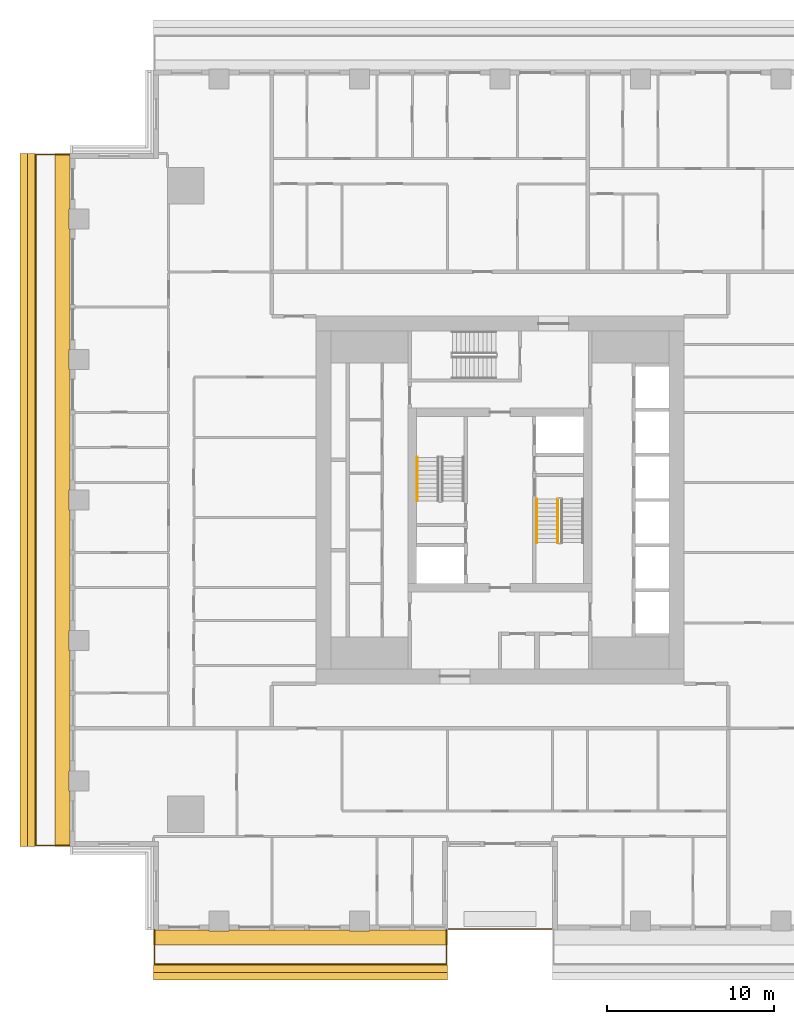
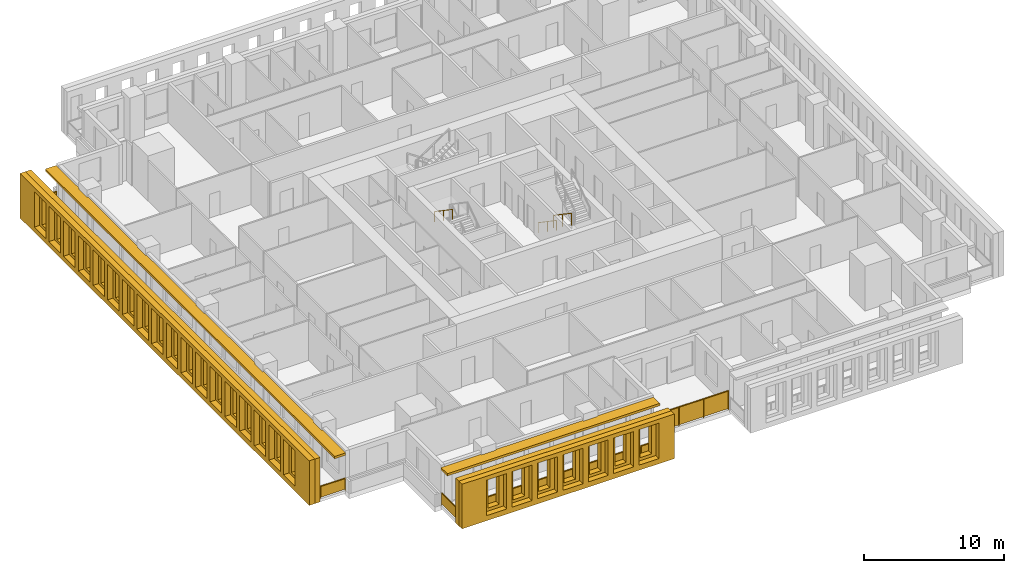
# One storey, part 12 of 16: 6 railings, 6 shading devices.
"""IFC4 building model written with IfcOpenShell, lengths in metres."""

from ifc_helpers import new_model, si_unit, direction, frame, origin, origin_2d, place, context, subcontext, project, spatial, polyline, rectangle, outline, extrude, material, layer, layer_set, type_object, element, save


model = new_model("IFC4")

# Units and contexts
model_context = context("Model", 3, precision=1e-05, world=origin(), true_north=direction((0.0, 1.0)))
body_context = subcontext(model_context, "Body", "Model", "MODEL_VIEW")
ifc_project = project(units=[si_unit("LENGTHUNIT", "METRE"), si_unit("AREAUNIT", "SQUARE_METRE"), si_unit("VOLUMEUNIT", "CUBIC_METRE"), si_unit("PLANEANGLEUNIT", "RADIAN"), si_unit("MASSUNIT", "GRAM", prefix="KILO")], contexts=[model_context])

# Site, building, storey
site_placement = place(None, origin())
site = spatial("IfcSite", under=ifc_project, at=site_placement, CompositionType="ELEMENT")
building_placement = place(site_placement, origin())
building = spatial("IfcBuilding", under=site, at=building_placement, Name="Khepri Terraces", CompositionType="ELEMENT")
storey_placement = place(building_placement, frame((0.0, 0.0, 240.60009765625)))
storey = spatial("IfcBuildingStorey", under=building, at=storey_placement, Name="L57", CompositionType="ELEMENT", Elevation=240.60009765625)

# Railings
ifc_material_1 = material(Name="Stainless steel grade 316", Category="steel")
railing_type_1 = type_object("IfcRailingType", Name="GRD-BAL-1100", PredefinedType="GUARDRAIL", material=ifc_material_1)
railing_1_placement = place(storey_placement, frame((-20.669921875, -25.719970703125, 0.0)))
element("IfcRailing", 1, at=railing_1_placement, inside=storey, type_object=railing_type_1, Name="Balcony guard L57 S", PredefinedType="GUARDRAIL", context=body_context, shape_type="SweptSolid", body=[
    extrude(rectangle(XDim=0.050048828125, YDim=0.06005859375, at=origin_2d()), frame((0.0, 0.0, 1.070068359375), z_axis=(0.0, -1.0, 0.0), x_axis=(1.0, 0.0, 0.0)), (0.0, 0.0, 1.0), 2.050048828125),
    extrude(rectangle(XDim=2.0, YDim=0.011962890625, at=origin_2d()), frame((0.0, -1.02490234375, 0.10009765625), z_axis=(0.0, 0.0, 1.0), x_axis=(0.0, -1.0, 0.0)), (0.0, 0.0, 1.0), 0.93994140625),
    extrude(rectangle(XDim=0.050048828125, YDim=0.06005859375, at=origin_2d()), frame((0.0, -2.050048828125, 1.070068359375), z_axis=(1.0, 0.0, 0.0), x_axis=(0.0, 1.0, 0.0)), (0.0, 0.0, 1.0), 17.469970703125),
    extrude(rectangle(XDim=2.1337890625, YDim=0.011962890625, at=origin_2d()), frame((1.091796875, -2.050048828125, 0.10009765625), z_axis=(0.0, 0.0, 1.0), x_axis=(1.0, 0.0, 0.0)), (0.0, 0.0, 1.0), 0.93994140625),
    extrude(rectangle(XDim=2.1337890625, YDim=0.011962890625, at=origin_2d()), frame((3.275634765625, -2.050048828125, 0.10009765625), z_axis=(0.0, 0.0, 1.0), x_axis=(1.0, 0.0, 0.0)), (0.0, 0.0, 1.0), 0.93994140625),
    extrude(rectangle(XDim=2.1337890625, YDim=0.011962890625, at=origin_2d()), frame((5.45947265625, -2.050048828125, 0.10009765625), z_axis=(0.0, 0.0, 1.0), x_axis=(1.0, 0.0, 0.0)), (0.0, 0.0, 1.0), 0.93994140625),
    extrude(rectangle(XDim=2.1337890625, YDim=0.011962890625, at=origin_2d()), frame((7.64306640625, -2.050048828125, 0.10009765625), z_axis=(0.0, 0.0, 1.0), x_axis=(1.0, 0.0, 0.0)), (0.0, 0.0, 1.0), 0.93994140625),
    extrude(rectangle(XDim=2.1337890625, YDim=0.011962890625, at=origin_2d()), frame((9.826904296875, -2.050048828125, 0.10009765625), z_axis=(0.0, 0.0, 1.0), x_axis=(1.0, 0.0, 0.0)), (0.0, 0.0, 1.0), 0.93994140625),
    extrude(rectangle(XDim=2.1337890625, YDim=0.011962890625, at=origin_2d()), frame((12.010498046875, -2.050048828125, 0.10009765625), z_axis=(0.0, 0.0, 1.0), x_axis=(1.0, 0.0, 0.0)), (0.0, 0.0, 1.0), 0.93994140625),
    extrude(rectangle(XDim=2.1337890625, YDim=0.011962890625, at=origin_2d()), frame((14.1943359375, -2.050048828125, 0.10009765625), z_axis=(0.0, 0.0, 1.0), x_axis=(1.0, 0.0, 0.0)), (0.0, 0.0, 1.0), 0.93994140625),
    extrude(rectangle(XDim=2.1337890625, YDim=0.011962890625, at=origin_2d()), frame((16.378173828125, -2.050048828125, 0.10009765625), z_axis=(0.0, 0.0, 1.0), x_axis=(1.0, 0.0, 0.0)), (0.0, 0.0, 1.0), 0.93994140625),
    extrude(rectangle(XDim=0.050048828125, YDim=0.06005859375, at=origin_2d()), frame((17.469970703125, -2.050048828125, 1.070068359375), z_axis=(0.0, 1.0, 0.0), x_axis=(-1.0, 0.0, 0.0)), (0.0, 0.0, 1.0), 2.050048828125),
    extrude(rectangle(XDim=2.0, YDim=0.011962890625, at=origin_2d()), frame((17.469970703125, -1.02490234375, 0.10009765625), z_axis=(0.0, 0.0, 1.0), x_axis=(0.0, 1.0, 0.0)), (0.0, 0.0, 1.0), 0.93994140625),
    extrude(rectangle(XDim=0.050048828125, YDim=0.050048828125, at=origin_2d()), origin(), (0.0, 0.0, 1.0), 1.0400390625),
    extrude(rectangle(XDim=0.050048828125, YDim=0.050048828125, at=origin_2d()), frame((0.0, -2.050048828125, 0.0)), (0.0, 0.0, 1.0), 1.0400390625),
    extrude(rectangle(XDim=0.050048828125, YDim=0.050048828125, at=origin_2d()), frame((2.183837890625, -2.050048828125, 0.0)), (0.0, 0.0, 1.0), 1.0400390625),
    extrude(rectangle(XDim=0.050048828125, YDim=0.050048828125, at=origin_2d()), frame((4.367431640625, -2.050048828125, 0.0)), (0.0, 0.0, 1.0), 1.0400390625),
    extrude(rectangle(XDim=0.050048828125, YDim=0.050048828125, at=origin_2d()), frame((6.55126953125, -2.050048828125, 0.0)), (0.0, 0.0, 1.0), 1.0400390625),
    extrude(rectangle(XDim=0.050048828125, YDim=0.050048828125, at=origin_2d()), frame((8.73486328125, -2.050048828125, 0.0)), (0.0, 0.0, 1.0), 1.0400390625),
    extrude(rectangle(XDim=0.050048828125, YDim=0.050048828125, at=origin_2d()), frame((10.918701171875, -2.050048828125, 0.0)), (0.0, 0.0, 1.0), 1.0400390625),
    extrude(rectangle(XDim=0.050048828125, YDim=0.050048828125, at=origin_2d()), frame((13.1025390625, -2.050048828125, 0.0)), (0.0, 0.0, 1.0), 1.0400390625),
    extrude(rectangle(XDim=0.050048828125, YDim=0.050048828125, at=origin_2d()), frame((15.2861328125, -2.050048828125, 0.0)), (0.0, 0.0, 1.0), 1.0400390625),
    extrude(rectangle(XDim=0.050048828125, YDim=0.050048828125, at=origin_2d()), frame((17.469970703125, -2.050048828125, 0.0)), (0.0, 0.0, 1.0), 1.0400390625),
    extrude(rectangle(XDim=0.050048828125, YDim=0.050048828125, at=origin_2d()), frame((17.469970703125, 0.0, 0.0)), (0.0, 0.0, 1.0), 1.0400390625),
])
railing_2_placement = place(storey_placement, frame((-25.719970703125, 20.669921875, 0.0)))
element("IfcRailing", 2, at=railing_2_placement, inside=storey, type_object=railing_type_1, Name="Balcony guard L57 W", PredefinedType="GUARDRAIL", context=body_context, shape_type="SweptSolid", body=[
    extrude(rectangle(XDim=0.050048828125, YDim=0.06005859375, at=origin_2d()), frame((0.0, 0.0, 1.070068359375), z_axis=(-1.0, 0.0, 0.0), x_axis=(0.0, -1.0, 0.0)), (0.0, 0.0, 1.0), 2.050048828125),
    extrude(rectangle(XDim=2.0, YDim=0.011962890625, at=origin_2d()), frame((-1.02490234375, 0.0, 0.10009765625), z_axis=(0.0, 0.0, 1.0), x_axis=(-1.0, 0.0, 0.0)), (0.0, 0.0, 1.0), 0.93994140625),
    extrude(rectangle(XDim=0.050048828125, YDim=0.06005859375, at=origin_2d()), frame((-2.050048828125, 0.0, 1.070068359375), z_axis=(0.0, -1.0, 0.0), x_axis=(1.0, 0.0, 0.0)), (0.0, 0.0, 1.0), 41.33984375),
    extrude(rectangle(XDim=2.24658203125, YDim=0.011962890625, at=origin_2d()), frame((-2.050048828125, -1.1484375, 0.10009765625), z_axis=(0.0, 0.0, 1.0), x_axis=(0.0, -1.0, 0.0)), (0.0, 0.0, 1.0), 0.93994140625),
    extrude(rectangle(XDim=2.24658203125, YDim=0.011962890625, at=origin_2d()), frame((-2.050048828125, -3.445068359375, 0.10009765625), z_axis=(0.0, 0.0, 1.0), x_axis=(0.0, -1.0, 0.0)), (0.0, 0.0, 1.0), 0.93994140625),
    extrude(rectangle(XDim=2.24658203125, YDim=0.011962890625, at=origin_2d()), frame((-2.050048828125, -5.74169921875, 0.10009765625), z_axis=(0.0, 0.0, 1.0), x_axis=(0.0, -1.0, 0.0)), (0.0, 0.0, 1.0), 0.93994140625),
    extrude(rectangle(XDim=2.24658203125, YDim=0.011962890625, at=origin_2d()), frame((-2.050048828125, -8.038330078125, 0.10009765625), z_axis=(0.0, 0.0, 1.0), x_axis=(0.0, -1.0, 0.0)), (0.0, 0.0, 1.0), 0.93994140625),
    extrude(rectangle(XDim=2.24658203125, YDim=0.011962890625, at=origin_2d()), frame((-2.050048828125, -10.3349609375, 0.10009765625), z_axis=(0.0, 0.0, 1.0), x_axis=(0.0, -1.0, 0.0)), (0.0, 0.0, 1.0), 0.93994140625),
    extrude(rectangle(XDim=2.24658203125, YDim=0.011962890625, at=origin_2d()), frame((-2.050048828125, -12.631591796875, 0.10009765625), z_axis=(0.0, 0.0, 1.0), x_axis=(0.0, -1.0, 0.0)), (0.0, 0.0, 1.0), 0.93994140625),
    extrude(rectangle(XDim=2.24658203125, YDim=0.011962890625, at=origin_2d()), frame((-2.050048828125, -14.92822265625, 0.10009765625), z_axis=(0.0, 0.0, 1.0), x_axis=(0.0, -1.0, 0.0)), (0.0, 0.0, 1.0), 0.93994140625),
    extrude(rectangle(XDim=2.24658203125, YDim=0.011962890625, at=origin_2d()), frame((-2.050048828125, -17.224853515625, 0.10009765625), z_axis=(0.0, 0.0, 1.0), x_axis=(0.0, -1.0, 0.0)), (0.0, 0.0, 1.0), 0.93994140625),
    extrude(rectangle(XDim=2.24658203125, YDim=0.011962890625, at=origin_2d()), frame((-2.050048828125, -19.521484375, 0.10009765625), z_axis=(0.0, 0.0, 1.0), x_axis=(0.0, -1.0, 0.0)), (0.0, 0.0, 1.0), 0.93994140625),
    extrude(rectangle(XDim=2.24658203125, YDim=0.011962890625, at=origin_2d()), frame((-2.050048828125, -21.818359375, 0.10009765625), z_axis=(0.0, 0.0, 1.0), x_axis=(0.0, -1.0, 0.0)), (0.0, 0.0, 1.0), 0.93994140625),
    extrude(rectangle(XDim=2.24658203125, YDim=0.011962890625, at=origin_2d()), frame((-2.050048828125, -24.114990234375, 0.10009765625), z_axis=(0.0, 0.0, 1.0), x_axis=(0.0, -1.0, 0.0)), (0.0, 0.0, 1.0), 0.93994140625),
    extrude(rectangle(XDim=2.24658203125, YDim=0.011962890625, at=origin_2d()), frame((-2.050048828125, -26.41162109375, 0.10009765625), z_axis=(0.0, 0.0, 1.0), x_axis=(0.0, -1.0, 0.0)), (0.0, 0.0, 1.0), 0.93994140625),
    extrude(rectangle(XDim=2.24658203125, YDim=0.011962890625, at=origin_2d()), frame((-2.050048828125, -28.708251953125, 0.10009765625), z_axis=(0.0, 0.0, 1.0), x_axis=(0.0, -1.0, 0.0)), (0.0, 0.0, 1.0), 0.93994140625),
    extrude(rectangle(XDim=2.24658203125, YDim=0.011962890625, at=origin_2d()), frame((-2.050048828125, -31.0048828125, 0.10009765625), z_axis=(0.0, 0.0, 1.0), x_axis=(0.0, -1.0, 0.0)), (0.0, 0.0, 1.0), 0.93994140625),
    extrude(rectangle(XDim=2.24658203125, YDim=0.011962890625, at=origin_2d()), frame((-2.050048828125, -33.301513671875, 0.10009765625), z_axis=(0.0, 0.0, 1.0), x_axis=(0.0, -1.0, 0.0)), (0.0, 0.0, 1.0), 0.93994140625),
    extrude(rectangle(XDim=2.24658203125, YDim=0.011962890625, at=origin_2d()), frame((-2.050048828125, -35.59814453125, 0.10009765625), z_axis=(0.0, 0.0, 1.0), x_axis=(0.0, -1.0, 0.0)), (0.0, 0.0, 1.0), 0.93994140625),
    extrude(rectangle(XDim=2.24658203125, YDim=0.011962890625, at=origin_2d()), frame((-2.050048828125, -37.894775390625, 0.10009765625), z_axis=(0.0, 0.0, 1.0), x_axis=(0.0, -1.0, 0.0)), (0.0, 0.0, 1.0), 0.93994140625),
    extrude(rectangle(XDim=2.24658203125, YDim=0.011962890625, at=origin_2d()), frame((-2.050048828125, -40.19140625, 0.10009765625), z_axis=(0.0, 0.0, 1.0), x_axis=(0.0, -1.0, 0.0)), (0.0, 0.0, 1.0), 0.93994140625),
    extrude(rectangle(XDim=0.050048828125, YDim=0.06005859375, at=origin_2d()), frame((-2.050048828125, -41.33984375, 1.070068359375), z_axis=(1.0, 0.0, 0.0), x_axis=(0.0, 1.0, 0.0)), (0.0, 0.0, 1.0), 2.050048828125),
    extrude(rectangle(XDim=2.0, YDim=0.011962890625, at=origin_2d()), frame((-1.02490234375, -41.33984375, 0.10009765625), z_axis=(0.0, 0.0, 1.0), x_axis=(1.0, 0.0, 0.0)), (0.0, 0.0, 1.0), 0.93994140625),
    extrude(rectangle(XDim=0.050048828125, YDim=0.050048828125, at=origin_2d()), origin(), (0.0, 0.0, 1.0), 1.0400390625),
    extrude(rectangle(XDim=0.050048828125, YDim=0.050048828125, at=origin_2d()), frame((-2.050048828125, 0.0, 0.0)), (0.0, 0.0, 1.0), 1.0400390625),
    extrude(rectangle(XDim=0.050048828125, YDim=0.050048828125, at=origin_2d()), frame((-2.050048828125, -2.296630859375, 0.0)), (0.0, 0.0, 1.0), 1.0400390625),
    extrude(rectangle(XDim=0.050048828125, YDim=0.050048828125, at=origin_2d()), frame((-2.050048828125, -4.59326171875, 0.0)), (0.0, 0.0, 1.0), 1.0400390625),
    extrude(rectangle(XDim=0.050048828125, YDim=0.050048828125, at=origin_2d()), frame((-2.050048828125, -6.889892578125, 0.0)), (0.0, 0.0, 1.0), 1.0400390625),
    extrude(rectangle(XDim=0.050048828125, YDim=0.050048828125, at=origin_2d()), frame((-2.050048828125, -9.1865234375, 0.0)), (0.0, 0.0, 1.0), 1.0400390625),
    extrude(rectangle(XDim=0.050048828125, YDim=0.050048828125, at=origin_2d()), frame((-2.050048828125, -11.4833984375, 0.0)), (0.0, 0.0, 1.0), 1.0400390625),
    extrude(rectangle(XDim=0.050048828125, YDim=0.050048828125, at=origin_2d()), frame((-2.050048828125, -13.780029296875, 0.0)), (0.0, 0.0, 1.0), 1.0400390625),
    extrude(rectangle(XDim=0.050048828125, YDim=0.050048828125, at=origin_2d()), frame((-2.050048828125, -16.07666015625, 0.0)), (0.0, 0.0, 1.0), 1.0400390625),
    extrude(rectangle(XDim=0.050048828125, YDim=0.050048828125, at=origin_2d()), frame((-2.050048828125, -18.373291015625, 0.0)), (0.0, 0.0, 1.0), 1.0400390625),
    extrude(rectangle(XDim=0.050048828125, YDim=0.050048828125, at=origin_2d()), frame((-2.050048828125, -20.669921875, 0.0)), (0.0, 0.0, 1.0), 1.0400390625),
    extrude(rectangle(XDim=0.050048828125, YDim=0.050048828125, at=origin_2d()), frame((-2.050048828125, -22.966552734375, 0.0)), (0.0, 0.0, 1.0), 1.0400390625),
    extrude(rectangle(XDim=0.050048828125, YDim=0.050048828125, at=origin_2d()), frame((-2.050048828125, -25.26318359375, 0.0)), (0.0, 0.0, 1.0), 1.0400390625),
    extrude(rectangle(XDim=0.050048828125, YDim=0.050048828125, at=origin_2d()), frame((-2.050048828125, -27.559814453125, 0.0)), (0.0, 0.0, 1.0), 1.0400390625),
    extrude(rectangle(XDim=0.050048828125, YDim=0.050048828125, at=origin_2d()), frame((-2.050048828125, -29.8564453125, 0.0)), (0.0, 0.0, 1.0), 1.0400390625),
    extrude(rectangle(XDim=0.050048828125, YDim=0.050048828125, at=origin_2d()), frame((-2.050048828125, -32.1533203125, 0.0)), (0.0, 0.0, 1.0), 1.0400390625),
    extrude(rectangle(XDim=0.050048828125, YDim=0.050048828125, at=origin_2d()), frame((-2.050048828125, -34.449951171875, 0.0)), (0.0, 0.0, 1.0), 1.0400390625),
    extrude(rectangle(XDim=0.050048828125, YDim=0.050048828125, at=origin_2d()), frame((-2.050048828125, -36.74658203125, 0.0)), (0.0, 0.0, 1.0), 1.0400390625),
    extrude(rectangle(XDim=0.050048828125, YDim=0.050048828125, at=origin_2d()), frame((-2.050048828125, -39.043212890625, 0.0)), (0.0, 0.0, 1.0), 1.0400390625),
    extrude(rectangle(XDim=0.050048828125, YDim=0.050048828125, at=origin_2d()), frame((-2.050048828125, -41.33984375, 0.0)), (0.0, 0.0, 1.0), 1.0400390625),
    extrude(rectangle(XDim=0.050048828125, YDim=0.050048828125, at=origin_2d()), frame((0.0, -41.33984375, 0.0)), (0.0, 0.0, 1.0), 1.0400390625),
])
railing_type_2 = type_object("IfcRailingType", Name="GRD-TERR-1700", PredefinedType="GUARDRAIL", material=ifc_material_1)
railing_3_placement = place(storey_placement, frame((3.080078125, -25.669921875, 0.0)))
element("IfcRailing", 3, at=railing_3_placement, inside=storey, type_object=railing_type_2, Name="Terrace guard L57", PredefinedType="GUARDRAIL", context=body_context, shape_type="SweptSolid", body=[
    extrude(rectangle(XDim=0.050048828125, YDim=0.06005859375, at=origin_2d()), frame((0.0, 0.0, 1.669921875), z_axis=(-1.0, 0.0, 0.0), x_axis=(0.0, -1.0, 0.0)), (0.0, 0.0, 1.0), 6.16015625),
    extrude(rectangle(XDim=2.00341796875, YDim=0.011962890625, at=origin_2d()), frame((-1.026611328125, 0.0, 0.10009765625), z_axis=(0.0, 0.0, 1.0), x_axis=(-1.0, 0.0, 0.0)), (0.0, 0.0, 1.0), 1.539794921875),
    extrude(rectangle(XDim=2.00341796875, YDim=0.011962890625, at=origin_2d()), frame((-3.080078125, 0.0, 0.10009765625), z_axis=(0.0, 0.0, 1.0), x_axis=(-1.0, 0.0, 0.0)), (0.0, 0.0, 1.0), 1.539794921875),
    extrude(rectangle(XDim=2.00341796875, YDim=0.011962890625, at=origin_2d()), frame((-5.133544921875, 0.0, 0.10009765625), z_axis=(0.0, 0.0, 1.0), x_axis=(-1.0, 0.0, 0.0)), (0.0, 0.0, 1.0), 1.539794921875),
    extrude(rectangle(XDim=0.050048828125, YDim=0.050048828125, at=origin_2d()), origin(), (0.0, 0.0, 1.0), 1.639892578125),
    extrude(rectangle(XDim=0.050048828125, YDim=0.050048828125, at=origin_2d()), frame((-2.053466796875, 0.0, 0.0)), (0.0, 0.0, 1.0), 1.639892578125),
    extrude(rectangle(XDim=0.050048828125, YDim=0.050048828125, at=origin_2d()), frame((-4.106689453125, 0.0, 0.0)), (0.0, 0.0, 1.0), 1.639892578125),
    extrude(rectangle(XDim=0.050048828125, YDim=0.050048828125, at=origin_2d()), frame((-6.16015625, 0.0, 0.0)), (0.0, 0.0, 1.0), 1.639892578125),
])
ifc_material_2 = material(Name="Stainless steel 316", Category="steel")
railing_type_3 = type_object("IfcRailingType", Name="RL-CORE-GUARD", PredefinedType="GUARDRAIL", material=ifc_material_2)
railing_4_placement = place(storey_placement, frame((3.449951171875, 0.050048828125, 0.17724609375)))
element("IfcRailing", 4, at=railing_4_placement, inside=storey, type_object=railing_type_3, Name="L57 ST-2 stair guard 1", PredefinedType="GUARDRAIL", context=body_context, shape_type="SweptSolid", body=[
    extrude(rectangle(XDim=0.050048828125, YDim=0.06005859375, at=origin_2d()), frame((0.0, 0.0, 1.070068359375), z_axis=(0.0, -0.826240473404, 0.563317565952), x_axis=(1.0, 0.0, 0.0)), (0.0, 0.0, 1.0), 3.14697265625),
    extrude(rectangle(XDim=0.050048828125, YDim=0.050048828125, at=origin_2d()), origin(), (0.0, 0.0, 1.0), 1.0400390625),
    extrude(rectangle(XDim=0.050048828125, YDim=0.050048828125, at=origin_2d()), frame((0.0, -1.300048828125, 0.88623046875)), (0.0, 0.0, 1.0), 1.0400390625),
    extrude(rectangle(XDim=0.050048828125, YDim=0.050048828125, at=origin_2d()), frame((0.0, -2.60009765625, 1.772705078125)), (0.0, 0.0, 1.0), 1.0400390625),
])
railing_type_4 = type_object("IfcRailingType", Name="RL-CORE-HANDRAIL", PredefinedType="HANDRAIL", material=ifc_material_2)
for number, where, name in (
    (5, (-4.949951171875, 2.550048828125, 2.127197265625), "L57 ST-1 stair handrail 2"),
    (6, (2.199951171875, 0.050048828125, 0.17724609375), "L57 ST-2 stair handrail 1"),
):
    element("IfcRailing", number, at=place(storey_placement, frame(where)), inside=storey, type_object=railing_type_4, Name=name, PredefinedType="HANDRAIL", context=body_context, shape_type="SweptSolid", body=[
        extrude(rectangle(XDim=0.050048828125, YDim=0.050048828125, at=origin_2d()), frame((0.0, 0.0, 0.875), z_axis=(0.0, -0.826240473404, 0.563317565952), x_axis=(1.0, 0.0, 0.0)), (0.0, 0.0, 1.0), 3.14697265625),
        extrude(rectangle(XDim=0.050048828125, YDim=0.050048828125, at=origin_2d()), origin(), (0.0, 0.0, 1.0), 0.849853515625),
        extrude(rectangle(XDim=0.050048828125, YDim=0.050048828125, at=origin_2d()), frame((0.0, -1.300048828125, 0.88623046875)), (0.0, 0.0, 1.0), 0.849853515625),
        extrude(rectangle(XDim=0.050048828125, YDim=0.050048828125, at=origin_2d()), frame((0.0, -2.60009765625, 1.772705078125)), (0.0, 0.0, 1.0), 0.849853515625),
    ])

# Shading devices
ifc_material_3 = material(Name="Precast concrete C50/60 warm stone", Category="masonry")
shading_device_type_1 = type_object("IfcShadingDeviceType", Name="SCR-CELL-INNER-450", PredefinedType="USERDEFINED", material=ifc_material_3)
shading_device_1_placement = place(storey_placement, frame((-20.719970703125, -27.820068359375, -0.25), z_axis=(0.0, -1.0, 0.0), x_axis=(1.0, 0.0, 0.0)))
element("IfcShadingDevice", 7, at=shading_device_1_placement, inside=storey, type_object=shading_device_type_1, Name="Cell screen L57 S in", ObjectType="SCREEN", PredefinedType="USERDEFINED", context=body_context, shape_type="SweptSolid", body=[
    extrude(outline(polyline([(0.0, 0.0), (17.570068359375, 0.0), (17.570068359375, 3.89990234375), (0.0, 3.89990234375), (0.0, 0.0)]), holes=[polyline([(0.297607421875, 0.699951171875), (1.242431640625, 0.699951171875), (1.242431640625, 3.300048828125), (0.297607421875, 3.300048828125), (0.297607421875, 0.699951171875)]), polyline([(2.3974609375, 0.699951171875), (3.342529296875, 0.699951171875), (3.342529296875, 3.300048828125), (2.3974609375, 3.300048828125), (2.3974609375, 0.699951171875)]), polyline([(4.49755859375, 0.699951171875), (5.4423828125, 0.699951171875), (5.4423828125, 3.300048828125), (4.49755859375, 3.300048828125), (4.49755859375, 0.699951171875)]), polyline([(6.597412109375, 0.699951171875), (7.54248046875, 0.699951171875), (7.54248046875, 3.300048828125), (6.597412109375, 3.300048828125), (6.597412109375, 0.699951171875)]), polyline([(8.697509765625, 0.699951171875), (9.642578125, 0.699951171875), (9.642578125, 3.300048828125), (8.697509765625, 3.300048828125), (8.697509765625, 0.699951171875)]), polyline([(10.797607421875, 0.699951171875), (11.742431640625, 0.699951171875), (11.742431640625, 3.300048828125), (10.797607421875, 3.300048828125), (10.797607421875, 0.699951171875)]), polyline([(12.8974609375, 0.699951171875), (13.842529296875, 0.699951171875), (13.842529296875, 3.300048828125), (12.8974609375, 3.300048828125), (12.8974609375, 0.699951171875)]), polyline([(14.99755859375, 0.699951171875), (15.9423828125, 0.699951171875), (15.9423828125, 3.300048828125), (14.99755859375, 3.300048828125), (14.99755859375, 0.699951171875)])]), origin(), (0.0, 0.0, 1.0), 0.449951171875),
])
shading_device_2_placement = place(storey_placement, frame((-27.820068359375, 20.719970703125, -0.25), z_axis=(-1.0, 0.0, 0.0), x_axis=(0.0, -1.0, 0.0)))
element("IfcShadingDevice", 8, at=shading_device_2_placement, inside=storey, type_object=shading_device_type_1, Name="Cell screen L57 W in", ObjectType="SCREEN", PredefinedType="USERDEFINED", context=body_context, shape_type="SweptSolid", body=[
    extrude(outline(polyline([(0.0, 0.0), (41.43994140625, 0.0), (41.43994140625, 3.89990234375), (0.0, 3.89990234375), (0.0, 0.0)]), holes=[polyline([(0.297607421875, 0.699951171875), (1.242431640625, 0.699951171875), (1.242431640625, 3.300048828125), (0.297607421875, 3.300048828125), (0.297607421875, 0.699951171875)]), polyline([(2.3974609375, 0.699951171875), (3.342529296875, 0.699951171875), (3.342529296875, 3.300048828125), (2.3974609375, 3.300048828125), (2.3974609375, 0.699951171875)]), polyline([(4.49755859375, 0.699951171875), (5.4423828125, 0.699951171875), (5.4423828125, 3.300048828125), (4.49755859375, 3.300048828125), (4.49755859375, 0.699951171875)]), polyline([(6.597412109375, 0.699951171875), (7.54248046875, 0.699951171875), (7.54248046875, 3.300048828125), (6.597412109375, 3.300048828125), (6.597412109375, 0.699951171875)]), polyline([(8.697509765625, 0.699951171875), (9.642578125, 0.699951171875), (9.642578125, 3.300048828125), (8.697509765625, 3.300048828125), (8.697509765625, 0.699951171875)]), polyline([(10.797607421875, 0.699951171875), (11.742431640625, 0.699951171875), (11.742431640625, 3.300048828125), (10.797607421875, 3.300048828125), (10.797607421875, 0.699951171875)]), polyline([(12.8974609375, 0.699951171875), (13.842529296875, 0.699951171875), (13.842529296875, 3.300048828125), (12.8974609375, 3.300048828125), (12.8974609375, 0.699951171875)]), polyline([(14.99755859375, 0.699951171875), (15.9423828125, 0.699951171875), (15.9423828125, 3.300048828125), (14.99755859375, 3.300048828125), (14.99755859375, 0.699951171875)]), polyline([(17.097412109375, 0.699951171875), (18.04248046875, 0.699951171875), (18.04248046875, 3.300048828125), (17.097412109375, 3.300048828125), (17.097412109375, 0.699951171875)]), polyline([(19.197509765625, 0.699951171875), (20.142578125, 0.699951171875), (20.142578125, 3.300048828125), (19.197509765625, 3.300048828125), (19.197509765625, 0.699951171875)]), polyline([(21.297607421875, 0.699951171875), (22.242431640625, 0.699951171875), (22.242431640625, 3.300048828125), (21.297607421875, 3.300048828125), (21.297607421875, 0.699951171875)]), polyline([(23.3974609375, 0.699951171875), (24.342529296875, 0.699951171875), (24.342529296875, 3.300048828125), (23.3974609375, 3.300048828125), (23.3974609375, 0.699951171875)]), polyline([(25.49755859375, 0.699951171875), (26.4423828125, 0.699951171875), (26.4423828125, 3.300048828125), (25.49755859375, 3.300048828125), (25.49755859375, 0.699951171875)]), polyline([(27.597412109375, 0.699951171875), (28.54248046875, 0.699951171875), (28.54248046875, 3.300048828125), (27.597412109375, 3.300048828125), (27.597412109375, 0.699951171875)]), polyline([(29.697509765625, 0.699951171875), (30.642578125, 0.699951171875), (30.642578125, 3.300048828125), (29.697509765625, 3.300048828125), (29.697509765625, 0.699951171875)]), polyline([(31.797607421875, 0.699951171875), (32.742431640625, 0.699951171875), (32.742431640625, 3.300048828125), (31.797607421875, 3.300048828125), (31.797607421875, 0.699951171875)]), polyline([(33.8974609375, 0.699951171875), (34.842529296875, 0.699951171875), (34.842529296875, 3.300048828125), (33.8974609375, 3.300048828125), (33.8974609375, 0.699951171875)]), polyline([(35.99755859375, 0.699951171875), (36.9423828125, 0.699951171875), (36.9423828125, 3.300048828125), (35.99755859375, 3.300048828125), (35.99755859375, 0.699951171875)]), polyline([(38.097412109375, 0.699951171875), (39.04248046875, 0.699951171875), (39.04248046875, 3.300048828125), (38.097412109375, 3.300048828125), (38.097412109375, 0.699951171875)]), polyline([(40.197509765625, 0.699951171875), (41.142578125, 0.699951171875), (41.142578125, 3.300048828125), (40.197509765625, 3.300048828125), (40.197509765625, 0.699951171875)])]), origin(), (0.0, 0.0, 1.0), 0.449951171875),
])
shading_device_type_2 = type_object("IfcShadingDeviceType", Name="SCR-CELL-OUTER-450", PredefinedType="USERDEFINED", material=ifc_material_3)
shading_device_3_placement = place(storey_placement, frame((-20.719970703125, -28.27001953125, -0.25), z_axis=(0.0, -1.0, 0.0), x_axis=(1.0, 0.0, 0.0)))
element("IfcShadingDevice", 9, at=shading_device_3_placement, inside=storey, type_object=shading_device_type_2, Name="Cell screen L57 S out", ObjectType="SCREEN", PredefinedType="USERDEFINED", context=body_context, shape_type="SweptSolid", body=[
    extrude(outline(polyline([(0.0, 0.0), (17.570068359375, 0.0), (17.570068359375, 3.89990234375), (0.0, 3.89990234375), (0.0, 0.0)]), holes=[polyline([(2.047607421875, 0.449951171875), (3.6923828125, 0.449951171875), (3.6923828125, 3.550048828125), (2.047607421875, 3.550048828125), (2.047607421875, 0.449951171875)]), polyline([(4.1474609375, 0.449951171875), (5.79248046875, 0.449951171875), (5.79248046875, 3.550048828125), (4.1474609375, 3.550048828125), (4.1474609375, 0.449951171875)]), polyline([(6.24755859375, 0.449951171875), (7.892578125, 0.449951171875), (7.892578125, 3.550048828125), (6.24755859375, 3.550048828125), (6.24755859375, 0.449951171875)]), polyline([(8.347412109375, 0.449951171875), (9.992431640625, 0.449951171875), (9.992431640625, 3.550048828125), (8.347412109375, 3.550048828125), (8.347412109375, 0.449951171875)]), polyline([(10.447509765625, 0.449951171875), (12.092529296875, 0.449951171875), (12.092529296875, 3.550048828125), (10.447509765625, 3.550048828125), (10.447509765625, 0.449951171875)]), polyline([(12.547607421875, 0.449951171875), (14.1923828125, 0.449951171875), (14.1923828125, 3.550048828125), (12.547607421875, 3.550048828125), (12.547607421875, 0.449951171875)]), polyline([(14.6474609375, 0.449951171875), (16.29248046875, 0.449951171875), (16.29248046875, 3.550048828125), (14.6474609375, 3.550048828125), (14.6474609375, 0.449951171875)])]), origin(), (0.0, 0.0, 1.0), 0.449951171875),
])
shading_device_4_placement = place(storey_placement, frame((-28.27001953125, 20.719970703125, -0.25), z_axis=(-1.0, 0.0, 0.0), x_axis=(0.0, -1.0, 0.0)))
element("IfcShadingDevice", 10, at=shading_device_4_placement, inside=storey, type_object=shading_device_type_2, Name="Cell screen L57 W out", ObjectType="SCREEN", PredefinedType="USERDEFINED", context=body_context, shape_type="SweptSolid", body=[
    extrude(outline(polyline([(0.0, 0.0), (41.43994140625, 0.0), (41.43994140625, 3.89990234375), (0.0, 3.89990234375), (0.0, 0.0)]), holes=[polyline([(2.047607421875, 0.449951171875), (3.6923828125, 0.449951171875), (3.6923828125, 3.550048828125), (2.047607421875, 3.550048828125), (2.047607421875, 0.449951171875)]), polyline([(4.1474609375, 0.449951171875), (5.79248046875, 0.449951171875), (5.79248046875, 3.550048828125), (4.1474609375, 3.550048828125), (4.1474609375, 0.449951171875)]), polyline([(6.24755859375, 0.449951171875), (7.892578125, 0.449951171875), (7.892578125, 3.550048828125), (6.24755859375, 3.550048828125), (6.24755859375, 0.449951171875)]), polyline([(8.347412109375, 0.449951171875), (9.992431640625, 0.449951171875), (9.992431640625, 3.550048828125), (8.347412109375, 3.550048828125), (8.347412109375, 0.449951171875)]), polyline([(10.447509765625, 0.449951171875), (12.092529296875, 0.449951171875), (12.092529296875, 3.550048828125), (10.447509765625, 3.550048828125), (10.447509765625, 0.449951171875)]), polyline([(12.547607421875, 0.449951171875), (14.1923828125, 0.449951171875), (14.1923828125, 3.550048828125), (12.547607421875, 3.550048828125), (12.547607421875, 0.449951171875)]), polyline([(14.6474609375, 0.449951171875), (16.29248046875, 0.449951171875), (16.29248046875, 3.550048828125), (14.6474609375, 3.550048828125), (14.6474609375, 0.449951171875)]), polyline([(16.74755859375, 0.449951171875), (18.392578125, 0.449951171875), (18.392578125, 3.550048828125), (16.74755859375, 3.550048828125), (16.74755859375, 0.449951171875)]), polyline([(18.847412109375, 0.449951171875), (20.492431640625, 0.449951171875), (20.492431640625, 3.550048828125), (18.847412109375, 3.550048828125), (18.847412109375, 0.449951171875)]), polyline([(20.947509765625, 0.449951171875), (22.592529296875, 0.449951171875), (22.592529296875, 3.550048828125), (20.947509765625, 3.550048828125), (20.947509765625, 0.449951171875)]), polyline([(23.047607421875, 0.449951171875), (24.6923828125, 0.449951171875), (24.6923828125, 3.550048828125), (23.047607421875, 3.550048828125), (23.047607421875, 0.449951171875)]), polyline([(25.1474609375, 0.449951171875), (26.79248046875, 0.449951171875), (26.79248046875, 3.550048828125), (25.1474609375, 3.550048828125), (25.1474609375, 0.449951171875)]), polyline([(27.24755859375, 0.449951171875), (28.892578125, 0.449951171875), (28.892578125, 3.550048828125), (27.24755859375, 3.550048828125), (27.24755859375, 0.449951171875)]), polyline([(29.347412109375, 0.449951171875), (30.992431640625, 0.449951171875), (30.992431640625, 3.550048828125), (29.347412109375, 3.550048828125), (29.347412109375, 0.449951171875)]), polyline([(31.447509765625, 0.449951171875), (33.092529296875, 0.449951171875), (33.092529296875, 3.550048828125), (31.447509765625, 3.550048828125), (31.447509765625, 0.449951171875)]), polyline([(33.547607421875, 0.449951171875), (35.1923828125, 0.449951171875), (35.1923828125, 3.550048828125), (33.547607421875, 3.550048828125), (33.547607421875, 0.449951171875)]), polyline([(35.6474609375, 0.449951171875), (37.29248046875, 0.449951171875), (37.29248046875, 3.550048828125), (35.6474609375, 3.550048828125), (35.6474609375, 0.449951171875)]), polyline([(37.74755859375, 0.449951171875), (39.392578125, 0.449951171875), (39.392578125, 3.550048828125), (37.74755859375, 3.550048828125), (37.74755859375, 0.449951171875)])]), origin(), (0.0, 0.0, 1.0), 0.449951171875),
])
ifc_layer = layer(ifc_material_3, 0.199951171875, Name="Precast concrete C50/60 warm stone", Category="masonry")
ifc_layer_set = layer_set([ifc_layer], Name="Precast concrete C50/60 warm stone")
shading_device_type_3 = type_object("IfcShadingDeviceType", Name="SSH-BAND-STONE-200", PredefinedType="USERDEFINED", material=ifc_layer_set)
shading_device_5_placement = place(storey_placement, frame((0.0, 0.0, 3.099853515625)))
element("IfcShadingDevice", 11, at=shading_device_5_placement, inside=storey, type_object=shading_device_type_3, Name="Sunshade band L57 S", ObjectType="SUNSHADE", PredefinedType="USERDEFINED", context=body_context, shape_type="SweptSolid", body=[
    extrude(outline(polyline([(-17.39990234375, -25.719970703125), (-20.719970703125, -25.719970703125), (-20.719970703125, -26.6201171875), (-3.14990234375, -26.6201171875), (-3.14990234375, -25.719970703125), (-7.800048828125, -25.719970703125), (-7.800048828125, -25.800048828125), (-9.0, -25.800048828125), (-9.0, -25.719970703125), (-16.199951171875, -25.719970703125), (-16.199951171875, -25.800048828125), (-17.39990234375, -25.800048828125), (-17.39990234375, -25.719970703125)])), origin(), (0.0, 0.0, 1.0), 0.199951171875),
])
shading_device_6_placement = place(storey_placement, frame((0.0, 0.0, 3.099853515625)))
element("IfcShadingDevice", 12, at=shading_device_6_placement, inside=storey, type_object=shading_device_type_3, Name="Sunshade band L57 W", ObjectType="SUNSHADE", PredefinedType="USERDEFINED", context=body_context, shape_type="SweptSolid", body=[
    extrude(outline(polyline([(-25.719970703125, 17.39990234375), (-25.719970703125, 20.719970703125), (-26.6201171875, 20.719970703125), (-26.6201171875, -20.719970703125), (-25.719970703125, -20.719970703125), (-25.719970703125, -17.39990234375), (-25.800048828125, -17.39990234375), (-25.800048828125, -16.199951171875), (-25.719970703125, -16.199951171875), (-25.719970703125, -9.0), (-25.800048828125, -9.0), (-25.800048828125, -7.800048828125), (-25.719970703125, -7.800048828125), (-25.719970703125, -0.60009765625), (-25.800048828125, -0.60009765625), (-25.800048828125, 0.60009765625), (-25.719970703125, 0.60009765625), (-25.719970703125, 7.800048828125), (-25.800048828125, 7.800048828125), (-25.800048828125, 9.0), (-25.719970703125, 9.0), (-25.719970703125, 16.199951171875), (-25.800048828125, 16.199951171875), (-25.800048828125, 17.39990234375), (-25.719970703125, 17.39990234375)])), origin(), (0.0, 0.0, 1.0), 0.199951171875),
])

save(model, "model.ifc")
